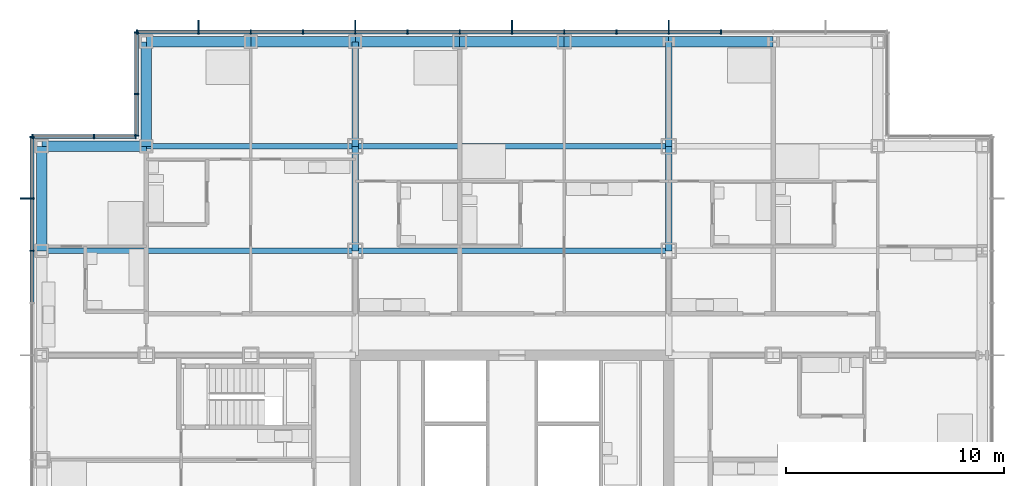
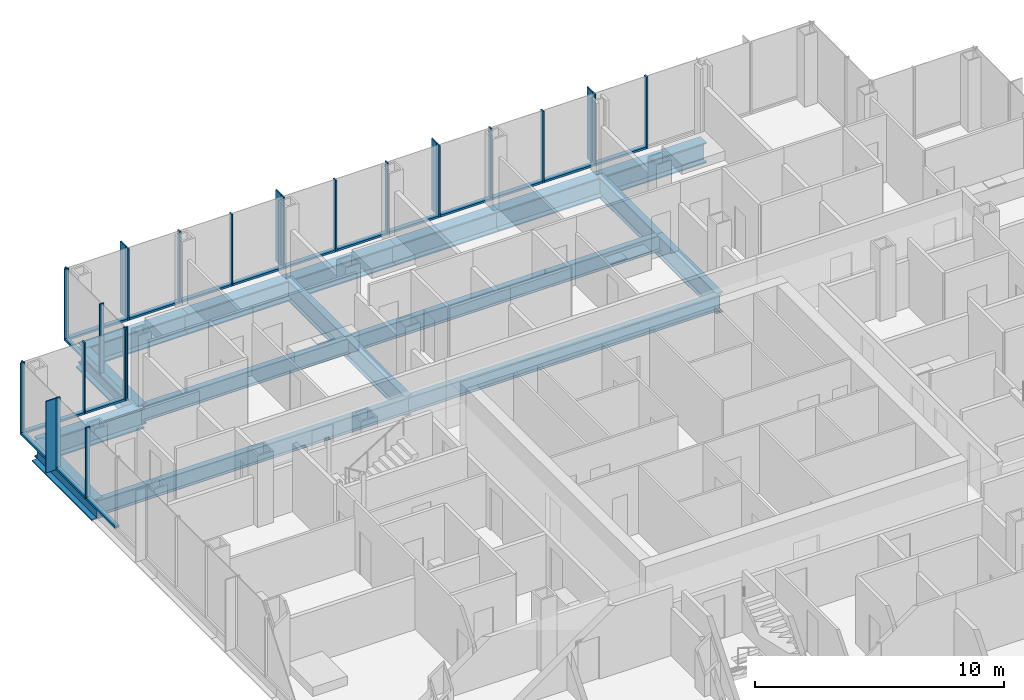
# One storey, part 10 of 21: 44 members, 17 beams, 4 elements without a shape of their own.
"""IFC4 building model written with IfcOpenShell, lengths in metres."""

from ifc_helpers import new_model, si_unit, direction, frame, origin, origin_2d, place, context, subcontext, project, spatial, rectangle, i_section, extrude, material, material_profile, profile_set, type_object, element, aggregate, save


model = new_model("IFC4")

# Units and contexts
model_context = context("Model", 3, precision=1e-05, world=origin(), true_north=direction((0.0, 1.0)))
body_context = subcontext(model_context, "Body", "Model", "MODEL_VIEW")
ifc_project = project(units=[si_unit("LENGTHUNIT", "METRE"), si_unit("AREAUNIT", "SQUARE_METRE"), si_unit("VOLUMEUNIT", "CUBIC_METRE"), si_unit("PLANEANGLEUNIT", "RADIAN"), si_unit("MASSUNIT", "GRAM", prefix="KILO")], contexts=[model_context])

# Site, building, storey
site_placement = place(None, origin())
site = spatial("IfcSite", under=ifc_project, at=site_placement, CompositionType="ELEMENT")
building_placement = place(site_placement, origin())
building = spatial("IfcBuilding", under=site, at=building_placement, Name="Kvirike Care Tower", CompositionType="ELEMENT")
storey_placement = place(building_placement, frame((0.0, 0.0, 27.0)))
storey = spatial("IfcBuildingStorey", under=building, at=storey_placement, Name="L06", CompositionType="ELEMENT", Elevation=27.0)

# Curtain wall, member
ifc_material_1 = material(Name="Anodised aluminium stick system", Category="aluminium")
curtain_wall_type = type_object("IfcCurtainWallType", Name="CW-A STICK CURTAIN WALL", PredefinedType="NOTDEFINED", material=ifc_material_1)
curtain_wall_1_placement = place(storey_placement, origin())
curtain_wall_1 = element("IfcCurtainWall", 1, at=curtain_wall_1_placement, inside=storey, type_object=curtain_wall_type, Name="Curtain wall L06 face 1", PredefinedType="NOTDEFINED")
ifc_material_2 = material(Name="Bronze anodised aluminium fin", Category="aluminium")
ifc_material_profile_1 = material_profile(ifc_material_2, rectangle(XDim=0.050048828125, YDim=0.449951171875, at=origin_2d()), Name="BRONZE FIN 450")
ifc_profile_set_1 = profile_set([ifc_material_profile_1], Name="Bronze anodised aluminium fin")
member_type_1 = type_object("IfcMemberType", Name="BRONZE FIN 450", PredefinedType="USERDEFINED", material=ifc_profile_set_1)
member_1_placement = place(storey_placement, frame((-0.77490234375, 50.39990234375, 0.0), z_axis=(0.0, 0.0, 1.0), x_axis=(0.0, -1.0, 0.0)))
member_1 = element("IfcMember", 2, at=member_1_placement, type_object=member_type_1, Name="Bronze fin L06 face 1.2", ObjectType="FIN", PredefinedType="USERDEFINED", context=body_context, shape_type="SweptSolid", body=[
    extrude(rectangle(XDim=0.050048828125, YDim=0.449951171875, at=origin_2d()), origin(), (0.0, 0.0, 1.0), 3.5),
])

# Curtain wall, members
curtain_wall_2_placement = place(storey_placement, origin())
curtain_wall_2 = element("IfcCurtainWall", 3, at=curtain_wall_2_placement, inside=storey, type_object=curtain_wall_type, Name="Curtain wall L06 face 10", PredefinedType="NOTDEFINED")
member_2_placement = place(storey_placement, frame((28.800048828125, 58.375, 0.0), z_axis=(0.0, 0.0, 1.0), x_axis=(-1.0, 0.0, 0.0)))
member_2 = element("IfcMember", 4, at=member_2_placement, type_object=member_type_1, Name="Bronze fin L06 face 10.5", ObjectType="FIN", PredefinedType="USERDEFINED", context=body_context, shape_type="SweptSolid", body=[
    extrude(rectangle(XDim=0.050048828125, YDim=0.449951171875, at=origin_2d()), origin(), (0.0, 0.0, 1.0), 3.5),
])
member_3_placement = place(storey_placement, frame((21.60009765625, 58.375, 0.0), z_axis=(0.0, 0.0, 1.0), x_axis=(-1.0, 0.0, 0.0)))
member_3 = element("IfcMember", 5, at=member_3_placement, type_object=member_type_1, Name="Bronze fin L06 face 10.8", ObjectType="FIN", PredefinedType="USERDEFINED", context=body_context, shape_type="SweptSolid", body=[
    extrude(rectangle(XDim=0.050048828125, YDim=0.449951171875, at=origin_2d()), origin(), (0.0, 0.0, 1.0), 3.5),
])
member_4_placement = place(storey_placement, frame((14.39990234375, 58.375, 0.0), z_axis=(0.0, 0.0, 1.0), x_axis=(-1.0, 0.0, 0.0)))
member_4 = element("IfcMember", 6, at=member_4_placement, type_object=member_type_1, Name="Bronze fin L06 face 10.11", ObjectType="FIN", PredefinedType="USERDEFINED", context=body_context, shape_type="SweptSolid", body=[
    extrude(rectangle(XDim=0.050048828125, YDim=0.449951171875, at=origin_2d()), origin(), (0.0, 0.0, 1.0), 3.5),
])
member_5_placement = place(storey_placement, frame((7.199951171875, 58.375, 0.0), z_axis=(0.0, 0.0, 1.0), x_axis=(-1.0, 0.0, 0.0)))
member_5 = element("IfcMember", 7, at=member_5_placement, type_object=member_type_1, Name="Bronze fin L06 face 10.14", ObjectType="FIN", PredefinedType="USERDEFINED", context=body_context, shape_type="SweptSolid", body=[
    extrude(rectangle(XDim=0.050048828125, YDim=0.449951171875, at=origin_2d()), origin(), (0.0, 0.0, 1.0), 3.5),
])

# Member
ifc_material_3 = material(Name="Bronze anodised aluminium mullion", Category="aluminium")
ifc_material_profile_2 = material_profile(ifc_material_3, rectangle(XDim=0.06494140625, YDim=0.199951171875, at=origin_2d()), Name="CW-A MULLION 65x200")
ifc_profile_set_2 = profile_set([ifc_material_profile_2], Name="Bronze anodised aluminium mullion")
member_type_2 = type_object("IfcMemberType", Name="CW-A MULLION 65x200", PredefinedType="MULLION", material=ifc_profile_set_2)
member_6_placement = place(storey_placement, frame((-0.449951171875, 53.217529296875, 0.0), z_axis=(0.0, 0.0, 1.0), x_axis=(0.0, -1.0, 0.0)))
member_6 = element("IfcMember", 8, at=member_6_placement, type_object=member_type_2, Name="CW-A mullion L06 face 1.1", PredefinedType="MULLION", context=body_context, shape_type="SweptSolid", body=[
    extrude(rectangle(XDim=0.06494140625, YDim=0.199951171875, at=origin_2d()), origin(), (0.0, 0.0, 1.0), 3.5),
])

member_7_placement = place(storey_placement, frame((-0.449951171875, 50.39990234375, 0.0), z_axis=(0.0, 0.0, 1.0), x_axis=(0.0, -1.0, 0.0)))
member_7 = element("IfcMember", 9, at=member_7_placement, type_object=member_type_2, Name="CW-A mullion L06 face 1.2", PredefinedType="MULLION", context=body_context, shape_type="SweptSolid", body=[
    extrude(rectangle(XDim=0.06494140625, YDim=0.199951171875, at=origin_2d()), origin(), (0.0, 0.0, 1.0), 3.5),
])

member_8_placement = place(storey_placement, frame((-0.449951171875, 48.0, 0.0), z_axis=(0.0, 0.0, 1.0), x_axis=(0.0, -1.0, 0.0)))
member_8 = element("IfcMember", 10, at=member_8_placement, type_object=member_type_2, Name="CW-A mullion L06 face 1.3", PredefinedType="MULLION", context=body_context, shape_type="SweptSolid", body=[
    extrude(rectangle(XDim=0.06494140625, YDim=0.199951171875, at=origin_2d()), origin(), (0.0, 0.0, 1.0), 3.5),
])

member_9_placement = place(storey_placement, frame((31.199951171875, 58.050048828125, 0.0), z_axis=(0.0, 0.0, 1.0), x_axis=(-1.0, 0.0, 0.0)))
member_9 = element("IfcMember", 11, at=member_9_placement, type_object=member_type_2, Name="CW-A mullion L06 face 10.4", PredefinedType="MULLION", context=body_context, shape_type="SweptSolid", body=[
    extrude(rectangle(XDim=0.06494140625, YDim=0.199951171875, at=origin_2d()), origin(), (0.0, 0.0, 1.0), 3.5),
])

member_10_placement = place(storey_placement, frame((28.800048828125, 58.050048828125, 0.0), z_axis=(0.0, 0.0, 1.0), x_axis=(-1.0, 0.0, 0.0)))
member_10 = element("IfcMember", 12, at=member_10_placement, type_object=member_type_2, Name="CW-A mullion L06 face 10.5", PredefinedType="MULLION", context=body_context, shape_type="SweptSolid", body=[
    extrude(rectangle(XDim=0.06494140625, YDim=0.199951171875, at=origin_2d()), origin(), (0.0, 0.0, 1.0), 3.5),
])

member_11_placement = place(storey_placement, frame((26.39990234375, 58.050048828125, 0.0), z_axis=(0.0, 0.0, 1.0), x_axis=(-1.0, 0.0, 0.0)))
member_11 = element("IfcMember", 13, at=member_11_placement, type_object=member_type_2, Name="CW-A mullion L06 face 10.6", PredefinedType="MULLION", context=body_context, shape_type="SweptSolid", body=[
    extrude(rectangle(XDim=0.06494140625, YDim=0.199951171875, at=origin_2d()), origin(), (0.0, 0.0, 1.0), 3.5),
])

member_12_placement = place(storey_placement, frame((24.0, 58.050048828125, 0.0), z_axis=(0.0, 0.0, 1.0), x_axis=(-1.0, 0.0, 0.0)))
member_12 = element("IfcMember", 14, at=member_12_placement, type_object=member_type_2, Name="CW-A mullion L06 face 10.7", PredefinedType="MULLION", context=body_context, shape_type="SweptSolid", body=[
    extrude(rectangle(XDim=0.06494140625, YDim=0.199951171875, at=origin_2d()), origin(), (0.0, 0.0, 1.0), 3.5),
])

member_13_placement = place(storey_placement, frame((21.60009765625, 58.050048828125, 0.0), z_axis=(0.0, 0.0, 1.0), x_axis=(-1.0, 0.0, 0.0)))
member_13 = element("IfcMember", 15, at=member_13_placement, type_object=member_type_2, Name="CW-A mullion L06 face 10.8", PredefinedType="MULLION", context=body_context, shape_type="SweptSolid", body=[
    extrude(rectangle(XDim=0.06494140625, YDim=0.199951171875, at=origin_2d()), origin(), (0.0, 0.0, 1.0), 3.5),
])

member_14_placement = place(storey_placement, frame((19.199951171875, 58.050048828125, 0.0), z_axis=(0.0, 0.0, 1.0), x_axis=(-1.0, 0.0, 0.0)))
member_14 = element("IfcMember", 16, at=member_14_placement, type_object=member_type_2, Name="CW-A mullion L06 face 10.9", PredefinedType="MULLION", context=body_context, shape_type="SweptSolid", body=[
    extrude(rectangle(XDim=0.06494140625, YDim=0.199951171875, at=origin_2d()), origin(), (0.0, 0.0, 1.0), 3.5),
])

member_15_placement = place(storey_placement, frame((16.800048828125, 58.050048828125, 0.0), z_axis=(0.0, 0.0, 1.0), x_axis=(-1.0, 0.0, 0.0)))
member_15 = element("IfcMember", 17, at=member_15_placement, type_object=member_type_2, Name="CW-A mullion L06 face 10.10", PredefinedType="MULLION", context=body_context, shape_type="SweptSolid", body=[
    extrude(rectangle(XDim=0.06494140625, YDim=0.199951171875, at=origin_2d()), origin(), (0.0, 0.0, 1.0), 3.5),
])

member_16_placement = place(storey_placement, frame((14.39990234375, 58.050048828125, 0.0), z_axis=(0.0, 0.0, 1.0), x_axis=(-1.0, 0.0, 0.0)))
member_16 = element("IfcMember", 18, at=member_16_placement, type_object=member_type_2, Name="CW-A mullion L06 face 10.11", PredefinedType="MULLION", context=body_context, shape_type="SweptSolid", body=[
    extrude(rectangle(XDim=0.06494140625, YDim=0.199951171875, at=origin_2d()), origin(), (0.0, 0.0, 1.0), 3.5),
])

member_17_placement = place(storey_placement, frame((12.0, 58.050048828125, 0.0), z_axis=(0.0, 0.0, 1.0), x_axis=(-1.0, 0.0, 0.0)))
member_17 = element("IfcMember", 19, at=member_17_placement, type_object=member_type_2, Name="CW-A mullion L06 face 10.12", PredefinedType="MULLION", context=body_context, shape_type="SweptSolid", body=[
    extrude(rectangle(XDim=0.06494140625, YDim=0.199951171875, at=origin_2d()), origin(), (0.0, 0.0, 1.0), 3.5),
])

member_18_placement = place(storey_placement, frame((9.60009765625, 58.050048828125, 0.0), z_axis=(0.0, 0.0, 1.0), x_axis=(-1.0, 0.0, 0.0)))
member_18 = element("IfcMember", 20, at=member_18_placement, type_object=member_type_2, Name="CW-A mullion L06 face 10.13", PredefinedType="MULLION", context=body_context, shape_type="SweptSolid", body=[
    extrude(rectangle(XDim=0.06494140625, YDim=0.199951171875, at=origin_2d()), origin(), (0.0, 0.0, 1.0), 3.5),
])

member_19_placement = place(storey_placement, frame((7.199951171875, 58.050048828125, 0.0), z_axis=(0.0, 0.0, 1.0), x_axis=(-1.0, 0.0, 0.0)))
member_19 = element("IfcMember", 21, at=member_19_placement, type_object=member_type_2, Name="CW-A mullion L06 face 10.14", PredefinedType="MULLION", context=body_context, shape_type="SweptSolid", body=[
    extrude(rectangle(XDim=0.06494140625, YDim=0.199951171875, at=origin_2d()), origin(), (0.0, 0.0, 1.0), 3.5),
])

member_20_placement = place(storey_placement, frame((4.382568359375, 58.050048828125, 0.0), z_axis=(0.0, 0.0, 1.0), x_axis=(-1.0, 0.0, 0.0)))
member_20 = element("IfcMember", 22, at=member_20_placement, type_object=member_type_2, Name="CW-A mullion L06 face 10.15", PredefinedType="MULLION", context=body_context, shape_type="SweptSolid", body=[
    extrude(rectangle(XDim=0.06494140625, YDim=0.199951171875, at=origin_2d()), origin(), (0.0, 0.0, 1.0), 3.5),
])

# Curtain wall, members
curtain_wall_3_placement = place(storey_placement, origin())
curtain_wall_3 = element("IfcCurtainWall", 23, at=curtain_wall_3_placement, inside=storey, type_object=curtain_wall_type, Name="Curtain wall L06 face 11", PredefinedType="NOTDEFINED")
member_21_placement = place(storey_placement, frame((4.35009765625, 58.017578125, 0.0), z_axis=(0.0, 0.0, 1.0), x_axis=(0.0, -1.0, 0.0)))
member_21 = element("IfcMember", 24, at=member_21_placement, type_object=member_type_2, Name="CW-A mullion L06 face 11.1", PredefinedType="MULLION", context=body_context, shape_type="SweptSolid", body=[
    extrude(rectangle(XDim=0.06494140625, YDim=0.199951171875, at=origin_2d()), origin(), (0.0, 0.0, 1.0), 3.5),
])
member_22_placement = place(storey_placement, frame((4.35009765625, 55.199951171875, 0.0), z_axis=(0.0, 0.0, 1.0), x_axis=(0.0, -1.0, 0.0)))
member_22 = element("IfcMember", 25, at=member_22_placement, type_object=member_type_2, Name="CW-A mullion L06 face 11.2", PredefinedType="MULLION", context=body_context, shape_type="SweptSolid", body=[
    extrude(rectangle(XDim=0.06494140625, YDim=0.199951171875, at=origin_2d()), origin(), (0.0, 0.0, 1.0), 3.5),
])
member_23_placement = place(storey_placement, frame((4.35009765625, 53.282470703125, 0.0), z_axis=(0.0, 0.0, 1.0), x_axis=(0.0, -1.0, 0.0)))
member_23 = element("IfcMember", 26, at=member_23_placement, type_object=member_type_2, Name="CW-A mullion L06 face 11.3", PredefinedType="MULLION", context=body_context, shape_type="SweptSolid", body=[
    extrude(rectangle(XDim=0.06494140625, YDim=0.199951171875, at=origin_2d()), origin(), (0.0, 0.0, 1.0), 3.5),
])

curtain_wall_4_placement = place(storey_placement, origin())
curtain_wall_4 = element("IfcCurtainWall", 27, at=curtain_wall_4_placement, inside=storey, type_object=curtain_wall_type, Name="Curtain wall L06 face 12", PredefinedType="NOTDEFINED")
member_24_placement = place(storey_placement, frame((4.3173828125, 53.25, 0.0), z_axis=(0.0, 0.0, 1.0), x_axis=(-1.0, 0.0, 0.0)))
member_24 = element("IfcMember", 28, at=member_24_placement, type_object=member_type_2, Name="CW-A mullion L06 face 12.1", PredefinedType="MULLION", context=body_context, shape_type="SweptSolid", body=[
    extrude(rectangle(XDim=0.06494140625, YDim=0.199951171875, at=origin_2d()), origin(), (0.0, 0.0, 1.0), 3.5),
])
member_25_placement = place(storey_placement, frame((2.39990234375, 53.25, 0.0), z_axis=(0.0, 0.0, 1.0), x_axis=(-1.0, 0.0, 0.0)))
member_25 = element("IfcMember", 29, at=member_25_placement, type_object=member_type_2, Name="CW-A mullion L06 face 12.2", PredefinedType="MULLION", context=body_context, shape_type="SweptSolid", body=[
    extrude(rectangle(XDim=0.06494140625, YDim=0.199951171875, at=origin_2d()), origin(), (0.0, 0.0, 1.0), 3.5),
])
member_26_placement = place(storey_placement, frame((-0.41748046875, 53.25, 0.0), z_axis=(0.0, 0.0, 1.0), x_axis=(-1.0, 0.0, 0.0)))
member_26 = element("IfcMember", 30, at=member_26_placement, type_object=member_type_2, Name="CW-A mullion L06 face 12.3", PredefinedType="MULLION", context=body_context, shape_type="SweptSolid", body=[
    extrude(rectangle(XDim=0.06494140625, YDim=0.199951171875, at=origin_2d()), origin(), (0.0, 0.0, 1.0), 3.5),
])

# Member
ifc_material_4 = material(Name="Bronze anodised aluminium transom", Category="aluminium")
ifc_material_profile_3 = material_profile(ifc_material_4, rectangle(XDim=0.199951171875, YDim=0.10009765625, at=origin_2d()), Name="CW-A TRANSOM 200x100")
ifc_profile_set_3 = profile_set([ifc_material_profile_3], Name="Bronze anodised aluminium transom")
member_type_3 = type_object("IfcMemberType", Name="CW-A TRANSOM 200x100", PredefinedType="USERDEFINED", material=ifc_profile_set_3)
member_27_placement = place(storey_placement, frame((-0.449951171875, 53.18505859375, 0.050048828125), z_axis=(0.0, -1.0, 0.0), x_axis=(1.0, 0.0, 0.0)))
member_27 = element("IfcMember", 31, at=member_27_placement, type_object=member_type_3, Name="CW-A sill transom L06 face 1.1", ObjectType="TRANSOM", PredefinedType="USERDEFINED", context=body_context, shape_type="SweptSolid", body=[
    extrude(rectangle(XDim=0.199951171875, YDim=0.10009765625, at=origin_2d()), origin(), (0.0, 0.0, 1.0), 2.75244140625),
])

member_28_placement = place(storey_placement, frame((-0.449951171875, 50.367431640625, 0.050048828125), z_axis=(0.0, -1.0, 0.0), x_axis=(1.0, 0.0, 0.0)))
member_28 = element("IfcMember", 32, at=member_28_placement, type_object=member_type_3, Name="CW-A sill transom L06 face 1.2", ObjectType="TRANSOM", PredefinedType="USERDEFINED", context=body_context, shape_type="SweptSolid", body=[
    extrude(rectangle(XDim=0.199951171875, YDim=0.10009765625, at=origin_2d()), origin(), (0.0, 0.0, 1.0), 2.3349609375),
])

member_29_placement = place(storey_placement, frame((-0.449951171875, 47.967529296875, 0.050048828125), z_axis=(0.0, -1.0, 0.0), x_axis=(1.0, 0.0, 0.0)))
member_29 = element("IfcMember", 33, at=member_29_placement, type_object=member_type_3, Name="CW-A sill transom L06 face 1.3", ObjectType="TRANSOM", PredefinedType="USERDEFINED", context=body_context, shape_type="SweptSolid", body=[
    extrude(rectangle(XDim=0.199951171875, YDim=0.10009765625, at=origin_2d()), origin(), (0.0, 0.0, 1.0), 2.3349609375),
])

aggregate(curtain_wall_1, [member_6, member_7, member_1, member_8, member_27, member_28, member_29])

member_30_placement = place(storey_placement, frame((31.16748046875, 58.050048828125, 0.050048828125), z_axis=(-1.0, 0.0, 0.0), x_axis=(0.0, -1.0, 0.0)))
member_30 = element("IfcMember", 34, at=member_30_placement, type_object=member_type_3, Name="CW-A sill transom L06 face 10.4", ObjectType="TRANSOM", PredefinedType="USERDEFINED", context=body_context, shape_type="SweptSolid", body=[
    extrude(rectangle(XDim=0.199951171875, YDim=0.10009765625, at=origin_2d()), origin(), (0.0, 0.0, 1.0), 2.3349609375),
])

member_31_placement = place(storey_placement, frame((28.767578125, 58.050048828125, 0.050048828125), z_axis=(-1.0, 0.0, 0.0), x_axis=(0.0, -1.0, 0.0)))
member_31 = element("IfcMember", 35, at=member_31_placement, type_object=member_type_3, Name="CW-A sill transom L06 face 10.5", ObjectType="TRANSOM", PredefinedType="USERDEFINED", context=body_context, shape_type="SweptSolid", body=[
    extrude(rectangle(XDim=0.199951171875, YDim=0.10009765625, at=origin_2d()), origin(), (0.0, 0.0, 1.0), 2.3349609375),
])

member_32_placement = place(storey_placement, frame((26.367431640625, 58.050048828125, 0.050048828125), z_axis=(-1.0, 0.0, 0.0), x_axis=(0.0, -1.0, 0.0)))
member_32 = element("IfcMember", 36, at=member_32_placement, type_object=member_type_3, Name="CW-A sill transom L06 face 10.6", ObjectType="TRANSOM", PredefinedType="USERDEFINED", context=body_context, shape_type="SweptSolid", body=[
    extrude(rectangle(XDim=0.199951171875, YDim=0.10009765625, at=origin_2d()), origin(), (0.0, 0.0, 1.0), 2.3349609375),
])

member_33_placement = place(storey_placement, frame((23.967529296875, 58.050048828125, 0.050048828125), z_axis=(-1.0, 0.0, 0.0), x_axis=(0.0, -1.0, 0.0)))
member_33 = element("IfcMember", 37, at=member_33_placement, type_object=member_type_3, Name="CW-A sill transom L06 face 10.7", ObjectType="TRANSOM", PredefinedType="USERDEFINED", context=body_context, shape_type="SweptSolid", body=[
    extrude(rectangle(XDim=0.199951171875, YDim=0.10009765625, at=origin_2d()), origin(), (0.0, 0.0, 1.0), 2.3349609375),
])

member_34_placement = place(storey_placement, frame((21.5673828125, 58.050048828125, 0.050048828125), z_axis=(-1.0, 0.0, 0.0), x_axis=(0.0, -1.0, 0.0)))
member_34 = element("IfcMember", 38, at=member_34_placement, type_object=member_type_3, Name="CW-A sill transom L06 face 10.8", ObjectType="TRANSOM", PredefinedType="USERDEFINED", context=body_context, shape_type="SweptSolid", body=[
    extrude(rectangle(XDim=0.199951171875, YDim=0.10009765625, at=origin_2d()), origin(), (0.0, 0.0, 1.0), 2.3349609375),
])

member_35_placement = place(storey_placement, frame((19.16748046875, 58.050048828125, 0.050048828125), z_axis=(-1.0, 0.0, 0.0), x_axis=(0.0, -1.0, 0.0)))
member_35 = element("IfcMember", 39, at=member_35_placement, type_object=member_type_3, Name="CW-A sill transom L06 face 10.9", ObjectType="TRANSOM", PredefinedType="USERDEFINED", context=body_context, shape_type="SweptSolid", body=[
    extrude(rectangle(XDim=0.199951171875, YDim=0.10009765625, at=origin_2d()), origin(), (0.0, 0.0, 1.0), 2.3349609375),
])

member_36_placement = place(storey_placement, frame((16.767578125, 58.050048828125, 0.050048828125), z_axis=(-1.0, 0.0, 0.0), x_axis=(0.0, -1.0, 0.0)))
member_36 = element("IfcMember", 40, at=member_36_placement, type_object=member_type_3, Name="CW-A sill transom L06 face 10.10", ObjectType="TRANSOM", PredefinedType="USERDEFINED", context=body_context, shape_type="SweptSolid", body=[
    extrude(rectangle(XDim=0.199951171875, YDim=0.10009765625, at=origin_2d()), origin(), (0.0, 0.0, 1.0), 2.3349609375),
])

member_37_placement = place(storey_placement, frame((14.367431640625, 58.050048828125, 0.050048828125), z_axis=(-1.0, 0.0, 0.0), x_axis=(0.0, -1.0, 0.0)))
member_37 = element("IfcMember", 41, at=member_37_placement, type_object=member_type_3, Name="CW-A sill transom L06 face 10.11", ObjectType="TRANSOM", PredefinedType="USERDEFINED", context=body_context, shape_type="SweptSolid", body=[
    extrude(rectangle(XDim=0.199951171875, YDim=0.10009765625, at=origin_2d()), origin(), (0.0, 0.0, 1.0), 2.3349609375),
])

member_38_placement = place(storey_placement, frame((11.967529296875, 58.050048828125, 0.050048828125), z_axis=(-1.0, 0.0, 0.0), x_axis=(0.0, -1.0, 0.0)))
member_38 = element("IfcMember", 42, at=member_38_placement, type_object=member_type_3, Name="CW-A sill transom L06 face 10.12", ObjectType="TRANSOM", PredefinedType="USERDEFINED", context=body_context, shape_type="SweptSolid", body=[
    extrude(rectangle(XDim=0.199951171875, YDim=0.10009765625, at=origin_2d()), origin(), (0.0, 0.0, 1.0), 2.3349609375),
])

member_39_placement = place(storey_placement, frame((9.5673828125, 58.050048828125, 0.050048828125), z_axis=(-1.0, 0.0, 0.0), x_axis=(0.0, -1.0, 0.0)))
member_39 = element("IfcMember", 43, at=member_39_placement, type_object=member_type_3, Name="CW-A sill transom L06 face 10.13", ObjectType="TRANSOM", PredefinedType="USERDEFINED", context=body_context, shape_type="SweptSolid", body=[
    extrude(rectangle(XDim=0.199951171875, YDim=0.10009765625, at=origin_2d()), origin(), (0.0, 0.0, 1.0), 2.3349609375),
])

member_40_placement = place(storey_placement, frame((7.16748046875, 58.050048828125, 0.050048828125), z_axis=(-1.0, 0.0, 0.0), x_axis=(0.0, -1.0, 0.0)))
member_40 = element("IfcMember", 44, at=member_40_placement, type_object=member_type_3, Name="CW-A sill transom L06 face 10.14", ObjectType="TRANSOM", PredefinedType="USERDEFINED", context=body_context, shape_type="SweptSolid", body=[
    extrude(rectangle(XDim=0.199951171875, YDim=0.10009765625, at=origin_2d()), origin(), (0.0, 0.0, 1.0), 2.75244140625),
])

aggregate(curtain_wall_2, [member_9, member_10, member_2, member_11, member_12, member_13, member_3, member_14, member_15, member_16, member_4, member_17, member_18, member_19, member_5, member_20, member_30, member_31, member_32, member_33, member_34, member_35, member_36, member_37, member_38, member_39, member_40])

member_41_placement = place(storey_placement, frame((4.35009765625, 57.985107421875, 0.050048828125), z_axis=(0.0, -1.0, 0.0), x_axis=(1.0, 0.0, 0.0)))
member_41 = element("IfcMember", 45, at=member_41_placement, type_object=member_type_3, Name="CW-A sill transom L06 face 11.1", ObjectType="TRANSOM", PredefinedType="USERDEFINED", context=body_context, shape_type="SweptSolid", body=[
    extrude(rectangle(XDim=0.199951171875, YDim=0.10009765625, at=origin_2d()), origin(), (0.0, 0.0, 1.0), 2.752685546875),
])

member_42_placement = place(storey_placement, frame((4.35009765625, 55.16748046875, 0.050048828125), z_axis=(0.0, -1.0, 0.0), x_axis=(1.0, 0.0, 0.0)))
member_42 = element("IfcMember", 46, at=member_42_placement, type_object=member_type_3, Name="CW-A sill transom L06 face 11.2", ObjectType="TRANSOM", PredefinedType="USERDEFINED", context=body_context, shape_type="SweptSolid", body=[
    extrude(rectangle(XDim=0.199951171875, YDim=0.10009765625, at=origin_2d()), origin(), (0.0, 0.0, 1.0), 1.8525390625),
])

aggregate(curtain_wall_3, [member_21, member_22, member_23, member_41, member_42])

member_43_placement = place(storey_placement, frame((4.284912109375, 53.25, 0.050048828125), z_axis=(-1.0, 0.0, 0.0), x_axis=(0.0, -1.0, 0.0)))
member_43 = element("IfcMember", 47, at=member_43_placement, type_object=member_type_3, Name="CW-A sill transom L06 face 12.1", ObjectType="TRANSOM", PredefinedType="USERDEFINED", context=body_context, shape_type="SweptSolid", body=[
    extrude(rectangle(XDim=0.199951171875, YDim=0.10009765625, at=origin_2d()), origin(), (0.0, 0.0, 1.0), 1.852294921875),
])

member_44_placement = place(storey_placement, frame((2.367431640625, 53.25, 0.050048828125), z_axis=(-1.0, 0.0, 0.0), x_axis=(0.0, -1.0, 0.0)))
member_44 = element("IfcMember", 48, at=member_44_placement, type_object=member_type_3, Name="CW-A sill transom L06 face 12.2", ObjectType="TRANSOM", PredefinedType="USERDEFINED", context=body_context, shape_type="SweptSolid", body=[
    extrude(rectangle(XDim=0.199951171875, YDim=0.10009765625, at=origin_2d()), origin(), (0.0, 0.0, 1.0), 2.75244140625),
])

aggregate(curtain_wall_4, [member_24, member_25, member_26, member_43, member_44])

# Beams
ifc_material_5 = material(Name="Steel S355", Category="steel")
ifc_material_profile_4 = material_profile(ifc_material_5, i_section(OverallWidth=0.26806640625, OverallDepth=0.77001953125, WebThickness=0.015625, FlangeThickness=0.025390625, FilletRadius=0.01708984375, at=origin_2d()), Name="IPE 750x196")
ifc_profile_set_4 = profile_set([ifc_material_profile_4], Name="Steel S355")
beam_type_1 = type_object("IfcBeamType", Name="FLOOR BEAM IPE 750x196", PredefinedType="BEAM", material=ifc_profile_set_4)
beam_1_placement = place(storey_placement, frame((0.0, 48.0, -0.554931640625), z_axis=(1.0, 0.0, 0.0), x_axis=(0.0, 1.0, 0.0)))
element("IfcBeam", 49, at=beam_1_placement, inside=storey, type_object=beam_type_1, Name="Floor Beam L3-L6 L06", PredefinedType="BEAM", context=body_context, shape_type="SweptSolid", body=[
    extrude(i_section(OverallWidth=0.26806640625, OverallDepth=0.77001953125, WebThickness=0.015625, FlangeThickness=0.025390625, FilletRadius=0.01708984375, at=origin_2d()), origin(), (0.0, 0.0, 1.0), 14.39990234375),
])
beam_2_placement = place(storey_placement, frame((14.39990234375, 48.0, -0.554931640625), z_axis=(1.0, 0.0, 0.0), x_axis=(0.0, 1.0, 0.0)))
element("IfcBeam", 50, at=beam_2_placement, inside=storey, type_object=beam_type_1, Name="Floor Beam L6-L9 L06", PredefinedType="BEAM", context=body_context, shape_type="SweptSolid", body=[
    extrude(i_section(OverallWidth=0.26806640625, OverallDepth=0.77001953125, WebThickness=0.015625, FlangeThickness=0.025390625, FilletRadius=0.01708984375, at=origin_2d()), origin(), (0.0, 0.0, 1.0), 14.400146484375),
])
beam_3_placement = place(storey_placement, frame((4.800048828125, 52.800048828125, -0.554931640625), z_axis=(1.0, 0.0, 0.0), x_axis=(0.0, 1.0, 0.0)))
element("IfcBeam", 51, at=beam_3_placement, inside=storey, type_object=beam_type_1, Name="Floor Beam M4-M6 L06", PredefinedType="BEAM", context=body_context, shape_type="SweptSolid", body=[
    extrude(i_section(OverallWidth=0.26806640625, OverallDepth=0.77001953125, WebThickness=0.015625, FlangeThickness=0.025390625, FilletRadius=0.01708984375, at=origin_2d()), origin(), (0.0, 0.0, 1.0), 9.599853515625),
])
beam_4_placement = place(storey_placement, frame((14.39990234375, 52.800048828125, -0.554931640625), z_axis=(1.0, 0.0, 0.0), x_axis=(0.0, 1.0, 0.0)))
element("IfcBeam", 52, at=beam_4_placement, inside=storey, type_object=beam_type_1, Name="Floor Beam M6-M9 L06", PredefinedType="BEAM", context=body_context, shape_type="SweptSolid", body=[
    extrude(i_section(OverallWidth=0.26806640625, OverallDepth=0.77001953125, WebThickness=0.015625, FlangeThickness=0.025390625, FilletRadius=0.01708984375, at=origin_2d()), origin(), (0.0, 0.0, 1.0), 14.400146484375),
])
ifc_material_6 = material(Name="Steel S355", Category="steel")
ifc_material_profile_5 = material_profile(ifc_material_6, i_section(OverallWidth=0.300048828125, OverallDepth=1.0, WebThickness=0.01904296875, FlangeThickness=0.035888671875, FilletRadius=0.030029296875, at=origin_2d()), Name="HE 1000 B")
ifc_profile_set_5 = profile_set([ifc_material_profile_5], Name="Steel S355")
beam_type_2 = type_object("IfcBeamType", Name="FRAME BEAM HE 1000 B", PredefinedType="BEAM", material=ifc_profile_set_5)
for number, where, z_axis, x_axis, name in (
    (53, (14.39990234375, 48.0, -0.669921875), (0.0, 1.0, 0.0), (-1.0, 0.0, 0.0), "Frame Beam L6-M6 L06"),
    (54, (14.39990234375, 52.800048828125, -0.669921875), (0.0, 1.0, 0.0), (-1.0, 0.0, 0.0), "Frame Beam M6-N6 L06"),
    (55, (28.800048828125, 48.0, -0.669921875), (0.0, 1.0, 0.0), (-1.0, 0.0, 0.0), "Frame Beam L9-M9 L06"),
    (56, (28.800048828125, 52.800048828125, -0.669921875), (0.0, 1.0, 0.0), (-1.0, 0.0, 0.0), "Frame Beam M9-N9 L06"),
):
    element("IfcBeam", number, at=place(storey_placement, frame(where, z_axis=z_axis, x_axis=x_axis)), inside=storey, type_object=beam_type_2, Name=name, PredefinedType="BEAM", context=body_context, shape_type="SweptSolid", body=[
        extrude(i_section(OverallWidth=0.300048828125, OverallDepth=1.0, WebThickness=0.01904296875, FlangeThickness=0.035888671875, FilletRadius=0.030029296875, at=origin_2d()), origin(), (0.0, 0.0, 1.0), 4.800048828125),
    ])
ifc_material_7 = material(Name="Steel S355", Category="steel")
ifc_material_profile_6 = material_profile(ifc_material_7, i_section(OverallWidth=0.5, OverallDepth=1.0, WebThickness=0.030029296875, FlangeThickness=0.06005859375, at=origin_2d()), Name="PG 1000x500x30x60")
ifc_profile_set_6 = profile_set([ifc_material_profile_6], Name="Steel S355")
beam_type_3 = type_object("IfcBeamType", Name="SPANDREL PG 1000x500x30x60", PredefinedType="SPANDREL", material=ifc_profile_set_6)
for number, where, z_axis, x_axis, name in (
    (57, (0.0, 52.800048828125, -0.669921875), (1.0, 0.0, 0.0), (0.0, 1.0, 0.0), "Spandrel M3-M4 L06"),
    (58, (4.800048828125, 57.60009765625, -0.669921875), (1.0, 0.0, 0.0), (0.0, 1.0, 0.0), "Spandrel N4-N5 L06"),
):
    element("IfcBeam", number, at=place(storey_placement, frame(where, z_axis=z_axis, x_axis=x_axis)), inside=storey, type_object=beam_type_3, Name=name, PredefinedType="SPANDREL", context=body_context, shape_type="SweptSolid", body=[
        extrude(i_section(OverallWidth=0.5, OverallDepth=1.0, WebThickness=0.030029296875, FlangeThickness=0.06005859375, at=origin_2d()), origin(), (0.0, 0.0, 1.0), 4.800048828125),
    ])
beam_5_placement = place(storey_placement, frame((9.60009765625, 57.60009765625, -0.669921875), z_axis=(1.0, 0.0, 0.0), x_axis=(0.0, 1.0, 0.0)))
element("IfcBeam", 59, at=beam_5_placement, inside=storey, type_object=beam_type_3, Name="Spandrel N5-N6 L06", PredefinedType="SPANDREL", context=body_context, shape_type="SweptSolid", body=[
    extrude(i_section(OverallWidth=0.5, OverallDepth=1.0, WebThickness=0.030029296875, FlangeThickness=0.06005859375, at=origin_2d()), origin(), (0.0, 0.0, 1.0), 4.7998046875),
])
for number, where, z_axis, x_axis, name in (
    (60, (14.39990234375, 57.60009765625, -0.669921875), (1.0, 0.0, 0.0), (0.0, 1.0, 0.0), "Spandrel N6-N7 L06"),
    (61, (19.199951171875, 57.60009765625, -0.669921875), (1.0, 0.0, 0.0), (0.0, 1.0, 0.0), "Spandrel N7-N8 L06"),
    (62, (24.0, 57.60009765625, -0.669921875), (1.0, 0.0, 0.0), (0.0, 1.0, 0.0), "Spandrel N8-N9 L06"),
    (63, (28.800048828125, 57.60009765625, -0.669921875), (1.0, 0.0, 0.0), (0.0, 1.0, 0.0), "Spandrel N9-N10 L06"),
    (64, (0.0, 48.0, -0.669921875), (0.0, 1.0, 0.0), (-1.0, 0.0, 0.0), "Spandrel L3-M3 L06"),
    (65, (4.800048828125, 52.800048828125, -0.669921875), (0.0, 1.0, 0.0), (-1.0, 0.0, 0.0), "Spandrel M4-N4 L06"),
):
    element("IfcBeam", number, at=place(storey_placement, frame(where, z_axis=z_axis, x_axis=x_axis)), inside=storey, type_object=beam_type_3, Name=name, PredefinedType="SPANDREL", context=body_context, shape_type="SweptSolid", body=[
        extrude(i_section(OverallWidth=0.5, OverallDepth=1.0, WebThickness=0.030029296875, FlangeThickness=0.06005859375, at=origin_2d()), origin(), (0.0, 0.0, 1.0), 4.800048828125),
    ])

save(model, "model.ifc")
